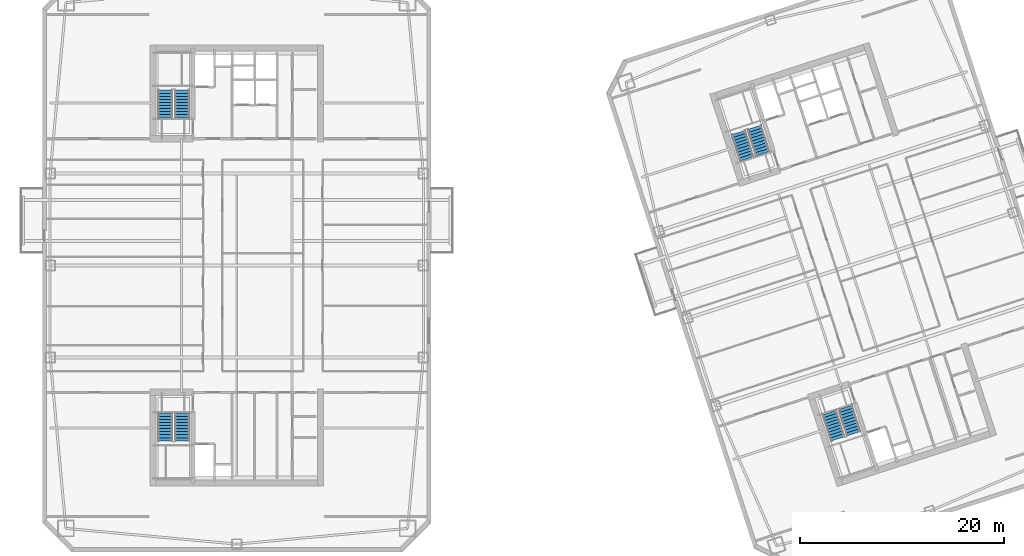
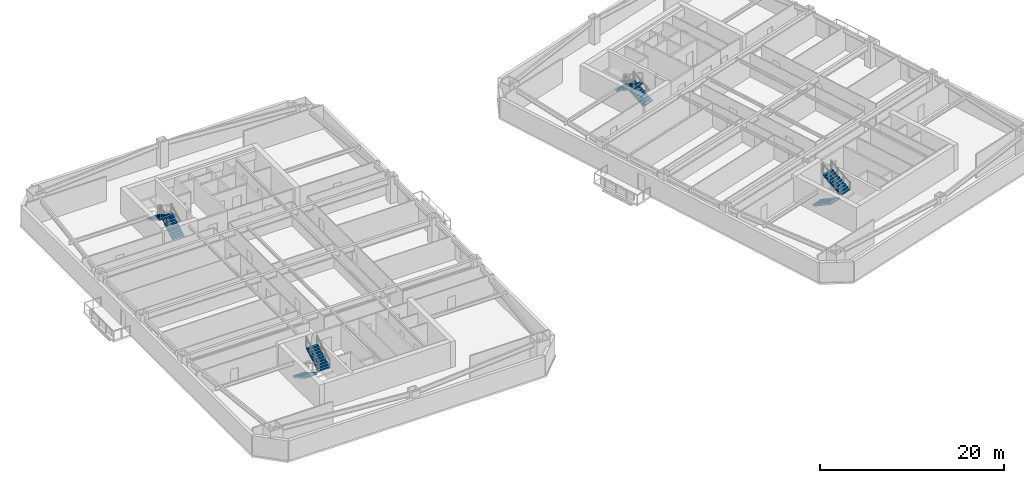
# One storey, part 10 of 15: 8 stair flights, 4 elements without a shape of their own.
"""IFC4 building model written with IfcOpenShell, lengths in metres."""

from ifc_helpers import new_model, si_unit, direction, frame, origin, place, context, subcontext, project, spatial, polyline, outline, extrude, material, type_object, element, aggregate, save


model = new_model("IFC4")

# Units and contexts
model_context = context("Model", 3, precision=1e-05, world=origin(), true_north=direction((0.0, 1.0)))
body_context = subcontext(model_context, "Body", "Model", "MODEL_VIEW")
ifc_project = project(units=[si_unit("LENGTHUNIT", "METRE"), si_unit("AREAUNIT", "SQUARE_METRE"), si_unit("VOLUMEUNIT", "CUBIC_METRE"), si_unit("PLANEANGLEUNIT", "RADIAN"), si_unit("MASSUNIT", "GRAM", prefix="KILO")], contexts=[model_context])

# Site, building, storey
site_placement = place(None, origin())
site = spatial("IfcSite", under=ifc_project, at=site_placement, CompositionType="ELEMENT")
building_placement = place(site_placement, origin())
building = spatial("IfcBuilding", under=site, at=building_placement, Name="Qiaolan Cultural Towers", CompositionType="ELEMENT")
storey_placement = place(building_placement, frame((0.0, 0.0, 113.85009765625)))
storey = spatial("IfcBuildingStorey", under=building, at=storey_placement, Name="L29", CompositionType="ELEMENT", Elevation=113.85009765625)

# Stair, stair flights
ifc_material_1 = material(Name="Concrete C45", Category="concrete")
stair_type = type_object("IfcStairType", Name="STR-CORE-1500", PredefinedType="HALF_TURN_STAIR", material=ifc_material_1)
stair_1_placement = place(storey_placement, origin())
stair_1 = element("IfcStair", 1, at=stair_1_placement, inside=storey, type_object=stair_type, Name="L29 Smokeproof Exit Stair ST-W1", PredefinedType="HALF_TURN_STAIR")
ifc_material_2 = material(Name="Concrete C45", Category="concrete")
stair_flight_type = type_object("IfcStairFlightType", Name="STR-CORE-1500-FL", PredefinedType="STRAIGHT", material=ifc_material_2)
stair_flight_1_placement = place(storey_placement, frame((23.02001953125, 19.550048828125, 0.0), z_axis=(0.0, 0.0, 1.0), x_axis=(0.0, -1.0, 0.0)))
stair_flight_1 = element("IfcStairFlight", 2, at=stair_flight_1_placement, type_object=stair_flight_type, Name="ST-W1 flight 1", NumberOfRisers=10, NumberOfTreads=9, PredefinedType="STRAIGHT", RiserHeight=0.1725, TreadLength=0.3, context=body_context, shape_type="SweptSolid", body=[
    extrude(outline(polyline([(0.0, 0.0), (0.0, 0.172607421875), (0.300048828125, 0.172607421875), (0.300048828125, 0.344970703125), (0.60009765625, 0.344970703125), (0.60009765625, 0.517578125), (0.89990234375, 0.517578125), (0.89990234375, 0.68994140625), (1.199951171875, 0.68994140625), (1.199951171875, 0.862548828125), (1.5, 0.862548828125), (1.5, 1.034912109375), (1.800048828125, 1.034912109375), (1.800048828125, 1.20751953125), (2.10009765625, 1.20751953125), (2.10009765625, 1.3798828125), (2.39990234375, 1.3798828125), (2.39990234375, 1.552490234375), (2.699951171875, 1.552490234375), (2.699951171875, 1.72509765625), (2.699951171875, 1.379638671875), (0.30078125, 0.0), (0.0, 0.0)])), frame((0.0, 0.719970703125, 0.0), z_axis=(0.0, -1.0, 0.0), x_axis=(1.0, 0.0, 0.0)), (0.0, 0.0, 1.0), 1.43994140625),
])
stair_flight_2_placement = place(storey_placement, frame((24.659912109375, 16.85009765625, 1.724853515625), z_axis=(0.0, 0.0, 1.0), x_axis=(0.0, 1.0, 0.0)))
stair_flight_2 = element("IfcStairFlight", 3, at=stair_flight_2_placement, type_object=stair_flight_type, Name="ST-W1 flight 2", NumberOfRisers=10, NumberOfTreads=9, PredefinedType="STRAIGHT", RiserHeight=0.1725, TreadLength=0.3, context=body_context, shape_type="SweptSolid", body=[
    extrude(outline(polyline([(0.0, 0.0), (0.0, 0.172607421875), (0.300048828125, 0.172607421875), (0.300048828125, 0.344970703125), (0.60009765625, 0.344970703125), (0.60009765625, 0.517578125), (0.89990234375, 0.517578125), (0.89990234375, 0.68994140625), (1.199951171875, 0.68994140625), (1.199951171875, 0.862548828125), (1.5, 0.862548828125), (1.5, 1.034912109375), (1.800048828125, 1.034912109375), (1.800048828125, 1.20751953125), (2.10009765625, 1.20751953125), (2.10009765625, 1.3798828125), (2.39990234375, 1.3798828125), (2.39990234375, 1.552490234375), (2.699951171875, 1.552490234375), (2.699951171875, 1.72509765625), (2.699951171875, 1.379638671875), (0.30078125, 0.0), (0.0, 0.0)])), frame((0.0, 0.719970703125, 0.0), z_axis=(0.0, -1.0, 0.0), x_axis=(1.0, 0.0, 0.0)), (0.0, 0.0, 1.0), 1.43994140625),
])
aggregate(stair_1, [stair_flight_1, stair_flight_2])

stair_2_placement = place(storey_placement, origin())
stair_2 = element("IfcStair", 4, at=stair_2_placement, inside=storey, type_object=stair_type, Name="L29 Smokeproof Exit Stair ST-W2", PredefinedType="HALF_TURN_STAIR")
stair_flight_3_placement = place(storey_placement, frame((24.659912109375, 48.449951171875, 0.0), z_axis=(0.0, 0.0, 1.0), x_axis=(0.0, 1.0, 0.0)))
stair_flight_3 = element("IfcStairFlight", 5, at=stair_flight_3_placement, type_object=stair_flight_type, Name="ST-W2 flight 1", NumberOfRisers=10, NumberOfTreads=9, PredefinedType="STRAIGHT", RiserHeight=0.1725, TreadLength=0.3, context=body_context, shape_type="SweptSolid", body=[
    extrude(outline(polyline([(0.0, 0.0), (0.0, 0.172607421875), (0.300048828125, 0.172607421875), (0.300048828125, 0.344970703125), (0.60009765625, 0.344970703125), (0.60009765625, 0.517578125), (0.89990234375, 0.517578125), (0.89990234375, 0.68994140625), (1.199951171875, 0.68994140625), (1.199951171875, 0.862548828125), (1.5, 0.862548828125), (1.5, 1.034912109375), (1.800048828125, 1.034912109375), (1.800048828125, 1.20751953125), (2.10009765625, 1.20751953125), (2.10009765625, 1.3798828125), (2.39990234375, 1.3798828125), (2.39990234375, 1.552490234375), (2.699951171875, 1.552490234375), (2.699951171875, 1.72509765625), (2.699951171875, 1.379638671875), (0.30078125, 0.0), (0.0, 0.0)])), frame((0.0, 0.719970703125, 0.0), z_axis=(0.0, -1.0, 0.0), x_axis=(1.0, 0.0, 0.0)), (0.0, 0.0, 1.0), 1.43994140625),
])
stair_flight_4_placement = place(storey_placement, frame((23.02001953125, 51.14990234375, 1.724853515625), z_axis=(0.0, 0.0, 1.0), x_axis=(0.0, -1.0, 0.0)))
stair_flight_4 = element("IfcStairFlight", 6, at=stair_flight_4_placement, type_object=stair_flight_type, Name="ST-W2 flight 2", NumberOfRisers=10, NumberOfTreads=9, PredefinedType="STRAIGHT", RiserHeight=0.1725, TreadLength=0.3, context=body_context, shape_type="SweptSolid", body=[
    extrude(outline(polyline([(0.0, 0.0), (0.0, 0.172607421875), (0.300048828125, 0.172607421875), (0.300048828125, 0.344970703125), (0.60009765625, 0.344970703125), (0.60009765625, 0.517578125), (0.89990234375, 0.517578125), (0.89990234375, 0.68994140625), (1.199951171875, 0.68994140625), (1.199951171875, 0.862548828125), (1.5, 0.862548828125), (1.5, 1.034912109375), (1.800048828125, 1.034912109375), (1.800048828125, 1.20751953125), (2.10009765625, 1.20751953125), (2.10009765625, 1.3798828125), (2.39990234375, 1.3798828125), (2.39990234375, 1.552490234375), (2.699951171875, 1.552490234375), (2.699951171875, 1.72509765625), (2.699951171875, 1.379638671875), (0.30078125, 0.0), (0.0, 0.0)])), frame((0.0, 0.719970703125, 0.0), z_axis=(0.0, -1.0, 0.0), x_axis=(1.0, 0.0, 0.0)), (0.0, 0.0, 1.0), 1.43994140625),
])
aggregate(stair_2, [stair_flight_3, stair_flight_4])

stair_3_placement = place(storey_placement, origin())
stair_3 = element("IfcStair", 7, at=stair_3_placement, inside=storey, type_object=stair_type, Name="L29 Smokeproof Exit Stair ST-E1", PredefinedType="HALF_TURN_STAIR")
stair_flight_5_placement = place(storey_placement, frame((87.96484375, 19.6171875, 0.0), z_axis=(0.0, 0.0, 1.0), x_axis=(0.309016994375, -0.951056516295, 0.0)))
stair_flight_5 = element("IfcStairFlight", 8, at=stair_flight_5_placement, type_object=stair_flight_type, Name="ST-E1 flight 1", NumberOfRisers=10, NumberOfTreads=9, PredefinedType="STRAIGHT", RiserHeight=0.1725, TreadLength=0.3, context=body_context, shape_type="SweptSolid", body=[
    extrude(outline(polyline([(0.0, 0.0), (0.0, 0.172607421875), (0.300048828125, 0.172607421875), (0.300048828125, 0.344970703125), (0.60009765625, 0.344970703125), (0.60009765625, 0.517578125), (0.89990234375, 0.517578125), (0.89990234375, 0.68994140625), (1.199951171875, 0.68994140625), (1.199951171875, 0.862548828125), (1.5, 0.862548828125), (1.5, 1.034912109375), (1.800048828125, 1.034912109375), (1.800048828125, 1.20751953125), (2.10009765625, 1.20751953125), (2.10009765625, 1.3798828125), (2.39990234375, 1.3798828125), (2.39990234375, 1.552490234375), (2.699951171875, 1.552490234375), (2.699951171875, 1.72509765625), (2.699951171875, 1.379638671875), (0.30078125, 0.0), (0.0, 0.0)])), frame((0.0, 0.719970703125, 0.0), z_axis=(0.0, -1.0, 0.0), x_axis=(1.0, 0.0, 0.0)), (0.0, 0.0, 1.0), 1.43994140625),
])
stair_flight_6_placement = place(storey_placement, frame((90.359130859375, 17.55615234375, 1.724853515625), z_axis=(0.0, 0.0, 1.0), x_axis=(-0.309016994375, 0.951056516295, 0.0)))
stair_flight_6 = element("IfcStairFlight", 9, at=stair_flight_6_placement, type_object=stair_flight_type, Name="ST-E1 flight 2", NumberOfRisers=10, NumberOfTreads=9, PredefinedType="STRAIGHT", RiserHeight=0.1725, TreadLength=0.3, context=body_context, shape_type="SweptSolid", body=[
    extrude(outline(polyline([(0.0, 0.0), (0.0, 0.172607421875), (0.300048828125, 0.172607421875), (0.300048828125, 0.344970703125), (0.60009765625, 0.344970703125), (0.60009765625, 0.517578125), (0.89990234375, 0.517578125), (0.89990234375, 0.68994140625), (1.199951171875, 0.68994140625), (1.199951171875, 0.862548828125), (1.5, 0.862548828125), (1.5, 1.034912109375), (1.800048828125, 1.034912109375), (1.800048828125, 1.20751953125), (2.10009765625, 1.20751953125), (2.10009765625, 1.3798828125), (2.39990234375, 1.3798828125), (2.39990234375, 1.552490234375), (2.699951171875, 1.552490234375), (2.699951171875, 1.72509765625), (2.699951171875, 1.379638671875), (0.30078125, 0.0), (0.0, 0.0)])), frame((0.0, 0.719970703125, 0.0), z_axis=(0.0, -1.0, 0.0), x_axis=(1.0, 0.0, 0.0)), (0.0, 0.0, 1.0), 1.43994140625),
])
aggregate(stair_3, [stair_flight_5, stair_flight_6])

stair_4_placement = place(storey_placement, origin())
stair_4 = element("IfcStair", 10, at=stair_4_placement, inside=storey, type_object=stair_type, Name="L29 Smokeproof Exit Stair ST-E2", PredefinedType="HALF_TURN_STAIR")
stair_flight_7_placement = place(storey_placement, frame((81.459228515625, 44.946533203125, 0.0), z_axis=(0.0, 0.0, 1.0), x_axis=(-0.309016994375, 0.951056516295, 0.0)))
stair_flight_7 = element("IfcStairFlight", 11, at=stair_flight_7_placement, type_object=stair_flight_type, Name="ST-E2 flight 1", NumberOfRisers=10, NumberOfTreads=9, PredefinedType="STRAIGHT", RiserHeight=0.1725, TreadLength=0.3, context=body_context, shape_type="SweptSolid", body=[
    extrude(outline(polyline([(0.0, 0.0), (0.0, 0.172607421875), (0.300048828125, 0.172607421875), (0.300048828125, 0.344970703125), (0.60009765625, 0.344970703125), (0.60009765625, 0.517578125), (0.89990234375, 0.517578125), (0.89990234375, 0.68994140625), (1.199951171875, 0.68994140625), (1.199951171875, 0.862548828125), (1.5, 0.862548828125), (1.5, 1.034912109375), (1.800048828125, 1.034912109375), (1.800048828125, 1.20751953125), (2.10009765625, 1.20751953125), (2.10009765625, 1.3798828125), (2.39990234375, 1.3798828125), (2.39990234375, 1.552490234375), (2.699951171875, 1.552490234375), (2.699951171875, 1.72509765625), (2.699951171875, 1.379638671875), (0.30078125, 0.0), (0.0, 0.0)])), frame((0.0, 0.719970703125, 0.0), z_axis=(0.0, -1.0, 0.0), x_axis=(1.0, 0.0, 0.0)), (0.0, 0.0, 1.0), 1.43994140625),
])
stair_flight_8_placement = place(storey_placement, frame((79.065185546875, 47.007568359375, 1.724853515625), z_axis=(0.0, 0.0, 1.0), x_axis=(0.309016994375, -0.951056516295, 0.0)))
stair_flight_8 = element("IfcStairFlight", 12, at=stair_flight_8_placement, type_object=stair_flight_type, Name="ST-E2 flight 2", NumberOfRisers=10, NumberOfTreads=9, PredefinedType="STRAIGHT", RiserHeight=0.1725, TreadLength=0.3, context=body_context, shape_type="SweptSolid", body=[
    extrude(outline(polyline([(0.0, 0.0), (0.0, 0.172607421875), (0.300048828125, 0.172607421875), (0.300048828125, 0.344970703125), (0.60009765625, 0.344970703125), (0.60009765625, 0.517578125), (0.89990234375, 0.517578125), (0.89990234375, 0.68994140625), (1.199951171875, 0.68994140625), (1.199951171875, 0.862548828125), (1.5, 0.862548828125), (1.5, 1.034912109375), (1.800048828125, 1.034912109375), (1.800048828125, 1.20751953125), (2.10009765625, 1.20751953125), (2.10009765625, 1.3798828125), (2.39990234375, 1.3798828125), (2.39990234375, 1.552490234375), (2.699951171875, 1.552490234375), (2.699951171875, 1.72509765625), (2.699951171875, 1.379638671875), (0.30078125, 0.0), (0.0, 0.0)])), frame((0.0, 0.719970703125, 0.0), z_axis=(0.0, -1.0, 0.0), x_axis=(1.0, 0.0, 0.0)), (0.0, 0.0, 1.0), 1.43994140625),
])
aggregate(stair_4, [stair_flight_7, stair_flight_8])

save(model, "model.ifc")
